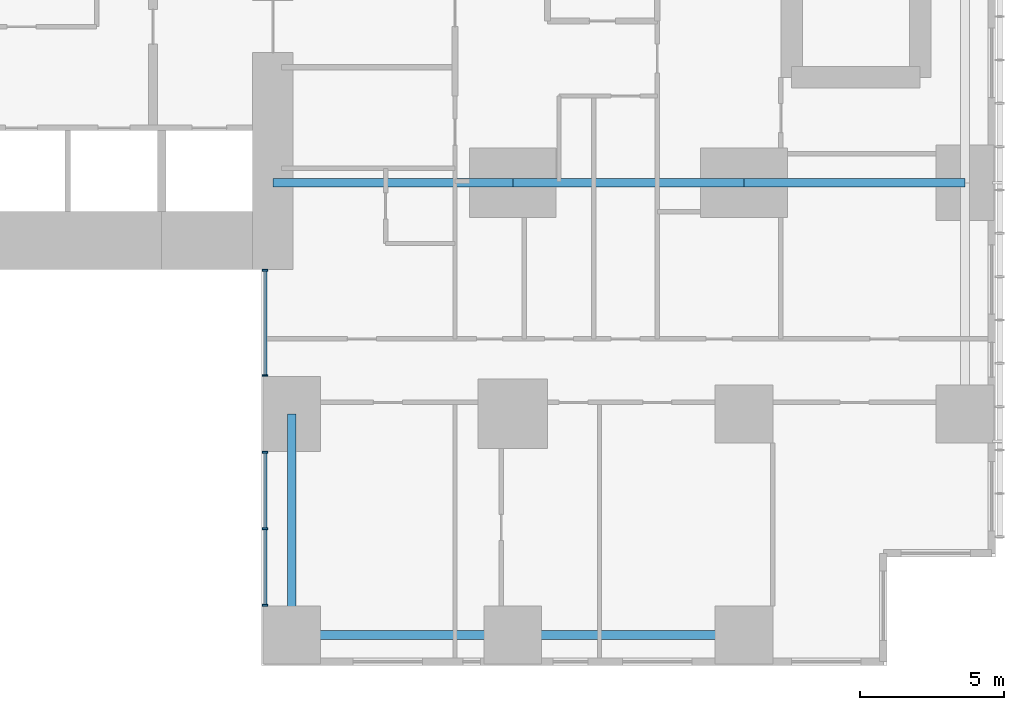
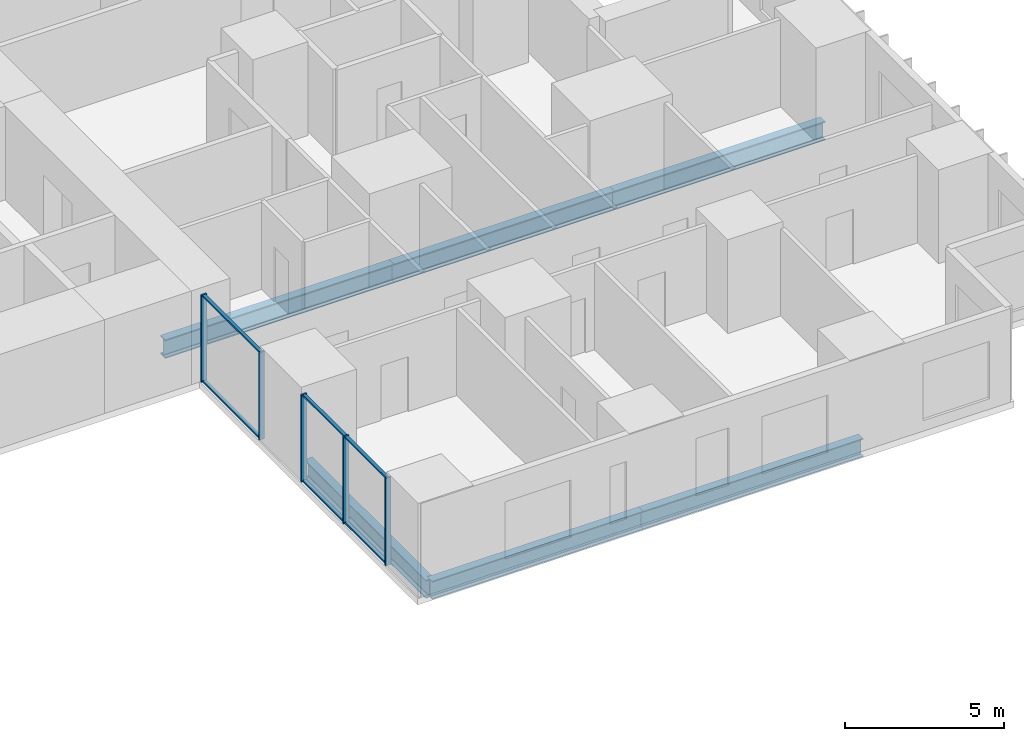
# One storey, part 3 of 20: 11 members, 6 beams, 2 elements without a shape of their own.
"""IFC4 building model written with IfcOpenShell, lengths in metres."""

from ifc_helpers import new_model, si_unit, direction, frame, origin, origin_2d, place, context, subcontext, project, spatial, rectangle, i_section, extrude, material, layer, layer_set, material_profile, profile_set, type_object, element, aggregate, save


model = new_model("IFC4")

# Units and contexts
model_context = context("Model", 3, precision=1e-05, world=origin(), true_north=direction((0.0, 1.0)))
body_context = subcontext(model_context, "Body", "Model", "MODEL_VIEW")
ifc_project = project(units=[si_unit("LENGTHUNIT", "METRE"), si_unit("AREAUNIT", "SQUARE_METRE"), si_unit("VOLUMEUNIT", "CUBIC_METRE"), si_unit("PLANEANGLEUNIT", "RADIAN"), si_unit("MASSUNIT", "GRAM", prefix="KILO")], contexts=[model_context])

# Site, building, storey
site_placement = place(None, origin())
site = spatial("IfcSite", under=ifc_project, at=site_placement, CompositionType="ELEMENT")
building_placement = place(site_placement, origin())
building = spatial("IfcBuilding", under=site, at=building_placement, Name="Cleftline Residences", CompositionType="ELEMENT")
storey_placement = place(building_placement, frame((0.0, 0.0, 146.60009765625)))
storey = spatial("IfcBuildingStorey", under=building, at=storey_placement, Name="L38", CompositionType="ELEMENT", Elevation=146.60009765625)

# Beams
ifc_material_1 = material(Name="Steel S355", Category="steel")
ifc_material_profile_1 = material_profile(ifc_material_1, i_section(OverallWidth=0.300048828125, OverallDepth=0.699951171875, WebThickness=0.01708984375, FlangeThickness=0.031982421875, FilletRadius=0.027099609375, at=origin_2d()))
ifc_profile_set_1 = profile_set([ifc_material_profile_1], Name="Steel S355")
beam_type_1 = type_object("IfcBeamType", Name="BEAM HEB 700", PredefinedType="BEAM", material=ifc_profile_set_1)
beam_1_placement = place(storey_placement, frame((58.0, 0.35009765625, -0.60009765625), z_axis=(-1.0, 0.0, 0.0), x_axis=(0.0, -1.0, 0.0)))
element("IfcBeam", 1, at=beam_1_placement, inside=storey, type_object=beam_type_1, Name="Edge beam", PredefinedType="BEAM", context=body_context, shape_type="SweptSolid", body=[
    extrude(i_section(OverallWidth=0.300048828125, OverallDepth=0.699951171875, WebThickness=0.01708984375, FlangeThickness=0.031982421875, FilletRadius=0.027099609375, at=origin_2d()), origin(), (0.0, 0.0, 1.0), 8.0),
])
for number, where, z_axis, x_axis, name in (
    (2, (50.0, 0.35009765625, -0.60009765625), (-1.0, 0.0, 0.0), (0.0, -1.0, 0.0), "Edge beam"),
    (3, (42.35009765625, 0.35009765625, -0.60009765625), (0.0, 1.0, 0.0), (-1.0, 0.0, 0.0), "Edge beam"),
):
    element("IfcBeam", number, at=place(storey_placement, frame(where, z_axis=z_axis, x_axis=x_axis)), inside=storey, type_object=beam_type_1, Name=name, PredefinedType="BEAM", context=body_context, shape_type="SweptSolid", body=[
        extrude(i_section(OverallWidth=0.300048828125, OverallDepth=0.699951171875, WebThickness=0.01708984375, FlangeThickness=0.031982421875, FilletRadius=0.027099609375, at=origin_2d()), origin(), (0.0, 0.0, 1.0), 7.64990234375),
    ])
ifc_material_2 = material(Name="Steel S355", Category="steel")
ifc_material_profile_2 = material_profile(ifc_material_2, i_section(OverallWidth=0.303955078125, OverallDepth=0.716064453125, WebThickness=0.02099609375, FlangeThickness=0.0400390625, FilletRadius=0.027099609375, at=origin_2d()))
ifc_profile_set_2 = profile_set([ifc_material_profile_2], Name="Steel S355")
beam_type_2 = type_object("IfcBeamType", Name="BEAM HEM 700", PredefinedType="BEAM", material=ifc_profile_set_2)
beam_2_placement = place(storey_placement, frame((65.64990234375, 16.0, -0.608154296875), z_axis=(-1.0, 0.0, 0.0), x_axis=(0.0, -1.0, 0.0)))
element("IfcBeam", 4, at=beam_2_placement, inside=storey, type_object=beam_type_2, Name="Band beam", PredefinedType="BEAM", context=body_context, shape_type="SweptSolid", body=[
    extrude(i_section(OverallWidth=0.303955078125, OverallDepth=0.716064453125, WebThickness=0.02099609375, FlangeThickness=0.0400390625, FilletRadius=0.027099609375, at=origin_2d()), origin(), (0.0, 0.0, 1.0), 7.64990234375),
])
beam_3_placement = place(storey_placement, frame((58.0, 16.0, -0.608154296875), z_axis=(-1.0, 0.0, 0.0), x_axis=(0.0, -1.0, 0.0)))
element("IfcBeam", 5, at=beam_3_placement, inside=storey, type_object=beam_type_2, Name="Band beam", PredefinedType="BEAM", context=body_context, shape_type="SweptSolid", body=[
    extrude(i_section(OverallWidth=0.303955078125, OverallDepth=0.716064453125, WebThickness=0.02099609375, FlangeThickness=0.0400390625, FilletRadius=0.027099609375, at=origin_2d()), origin(), (0.0, 0.0, 1.0), 8.0),
])
beam_4_placement = place(storey_placement, frame((50.0, 16.0, -0.608154296875), z_axis=(-1.0, 0.0, 0.0), x_axis=(0.0, -1.0, 0.0)))
element("IfcBeam", 6, at=beam_4_placement, inside=storey, type_object=beam_type_2, Name="Band beam", PredefinedType="BEAM", context=body_context, shape_type="SweptSolid", body=[
    extrude(i_section(OverallWidth=0.303955078125, OverallDepth=0.716064453125, WebThickness=0.02099609375, FlangeThickness=0.0400390625, FilletRadius=0.027099609375, at=origin_2d()), origin(), (0.0, 0.0, 1.0), 8.300048828125),
])

# Curtain wall, members
ifc_material_3 = material(Name="Aluminium framed curtain wall", Category="aluminium")
ifc_layer = layer(ifc_material_3, 0.199951171875)
ifc_layer_set = layer_set([ifc_layer], Name="CW1 CLEFT GLAZING")
curtain_wall_type = type_object("IfcCurtainWallType", Name="CW1 CLEFT GLAZING", PredefinedType="NOTDEFINED", material=ifc_layer_set)
curtain_wall_1_placement = place(storey_placement, origin())
curtain_wall_1 = element("IfcCurtainWall", 7, at=curtain_wall_1_placement, inside=storey, type_object=curtain_wall_type, Name="Curtain wall CW1", PredefinedType="NOTDEFINED")
ifc_material_4 = material(Name="Aluminium mullion", Category="aluminium")
ifc_material_profile_3 = material_profile(ifc_material_4, rectangle(XDim=0.199951171875, YDim=0.06005859375, at=origin_2d()))
ifc_profile_set_3 = profile_set([ifc_material_profile_3], Name="Aluminium mullion")
member_type_1 = type_object("IfcMemberType", Name="CW1 MULLION", PredefinedType="MULLION", material=ifc_profile_set_3)
member_1_placement = place(storey_placement, frame((41.425048828125, 12.969970703125, 0.0), z_axis=(0.0, 0.0, 1.0), x_axis=(1.0, 0.0, 0.0)))
member_1 = element("IfcMember", 8, at=member_1_placement, type_object=member_type_1, Name="CW1 mullion 1", PredefinedType="MULLION", context=body_context, shape_type="SweptSolid", body=[
    extrude(rectangle(XDim=0.199951171875, YDim=0.06005859375, at=origin_2d()), origin(), (0.0, 0.0, 1.0), 3.349853515625),
])
member_2_placement = place(storey_placement, frame((41.425048828125, 9.330078125, 0.0), z_axis=(0.0, 0.0, 1.0), x_axis=(1.0, 0.0, 0.0)))
member_2 = element("IfcMember", 9, at=member_2_placement, type_object=member_type_1, Name="CW1 mullion 2", PredefinedType="MULLION", context=body_context, shape_type="SweptSolid", body=[
    extrude(rectangle(XDim=0.199951171875, YDim=0.06005859375, at=origin_2d()), origin(), (0.0, 0.0, 1.0), 3.349853515625),
])

curtain_wall_2_placement = place(storey_placement, origin())
curtain_wall_2 = element("IfcCurtainWall", 10, at=curtain_wall_2_placement, inside=storey, type_object=curtain_wall_type, Name="Curtain wall CW1", PredefinedType="NOTDEFINED")
member_3_placement = place(storey_placement, frame((41.425048828125, 6.669921875, 0.0), z_axis=(0.0, 0.0, 1.0), x_axis=(1.0, 0.0, 0.0)))
member_3 = element("IfcMember", 11, at=member_3_placement, type_object=member_type_1, Name="CW1 mullion 1", PredefinedType="MULLION", context=body_context, shape_type="SweptSolid", body=[
    extrude(rectangle(XDim=0.199951171875, YDim=0.06005859375, at=origin_2d()), origin(), (0.0, 0.0, 1.0), 3.349853515625),
])
member_4_placement = place(storey_placement, frame((41.425048828125, 4.02490234375, 0.0), z_axis=(0.0, 0.0, 1.0), x_axis=(1.0, 0.0, 0.0)))
member_4 = element("IfcMember", 12, at=member_4_placement, type_object=member_type_1, Name="CW1 mullion 2", PredefinedType="MULLION", context=body_context, shape_type="SweptSolid", body=[
    extrude(rectangle(XDim=0.199951171875, YDim=0.06005859375, at=origin_2d()), origin(), (0.0, 0.0, 1.0), 3.349853515625),
])
member_5_placement = place(storey_placement, frame((41.425048828125, 1.3798828125, 0.0), z_axis=(0.0, 0.0, 1.0), x_axis=(1.0, 0.0, 0.0)))
member_5 = element("IfcMember", 13, at=member_5_placement, type_object=member_type_1, Name="CW1 mullion 3", PredefinedType="MULLION", context=body_context, shape_type="SweptSolid", body=[
    extrude(rectangle(XDim=0.199951171875, YDim=0.06005859375, at=origin_2d()), origin(), (0.0, 0.0, 1.0), 3.349853515625),
])

# Member
ifc_material_5 = material(Name="Aluminium transom", Category="aluminium")
ifc_material_profile_4 = material_profile(ifc_material_5, rectangle(XDim=0.1201171875, YDim=0.06005859375, at=origin_2d()))
ifc_profile_set_4 = profile_set([ifc_material_profile_4], Name="Aluminium transom")
member_type_2 = type_object("IfcMemberType", Name="CW1 TRANSOM", PredefinedType="USERDEFINED", material=ifc_profile_set_4)
member_6_placement = place(storey_placement, frame((41.425048828125, 12.93994140625, 0.02978515625), z_axis=(0.0, -1.0, 0.0), x_axis=(1.0, 0.0, 0.0)))
member_6 = element("IfcMember", 14, at=member_6_placement, type_object=member_type_2, Name="CW1 transom 1.1", ObjectType="TRANSOM", PredefinedType="USERDEFINED", context=body_context, shape_type="SweptSolid", body=[
    extrude(rectangle(XDim=0.1201171875, YDim=0.06005859375, at=origin_2d()), origin(), (0.0, 0.0, 1.0), 3.579833984375),
])

member_7_placement = place(storey_placement, frame((41.425048828125, 12.93994140625, 3.31982421875), z_axis=(0.0, -1.0, 0.0), x_axis=(1.0, 0.0, 0.0)))
member_7 = element("IfcMember", 15, at=member_7_placement, type_object=member_type_2, Name="CW1 transom 1.2", ObjectType="TRANSOM", PredefinedType="USERDEFINED", context=body_context, shape_type="SweptSolid", body=[
    extrude(rectangle(XDim=0.1201171875, YDim=0.06005859375, at=origin_2d()), origin(), (0.0, 0.0, 1.0), 3.579833984375),
])

aggregate(curtain_wall_1, [member_1, member_2, member_6, member_7])

member_8_placement = place(storey_placement, frame((41.425048828125, 6.639892578125, 0.02978515625), z_axis=(0.0, -1.0, 0.0), x_axis=(1.0, 0.0, 0.0)))
member_8 = element("IfcMember", 16, at=member_8_placement, type_object=member_type_2, Name="CW1 transom 1.1", ObjectType="TRANSOM", PredefinedType="USERDEFINED", context=body_context, shape_type="SweptSolid", body=[
    extrude(rectangle(XDim=0.1201171875, YDim=0.06005859375, at=origin_2d()), origin(), (0.0, 0.0, 1.0), 2.5849609375),
])

member_9_placement = place(storey_placement, frame((41.425048828125, 6.639892578125, 3.31982421875), z_axis=(0.0, -1.0, 0.0), x_axis=(1.0, 0.0, 0.0)))
member_9 = element("IfcMember", 17, at=member_9_placement, type_object=member_type_2, Name="CW1 transom 1.2", ObjectType="TRANSOM", PredefinedType="USERDEFINED", context=body_context, shape_type="SweptSolid", body=[
    extrude(rectangle(XDim=0.1201171875, YDim=0.06005859375, at=origin_2d()), origin(), (0.0, 0.0, 1.0), 2.5849609375),
])

member_10_placement = place(storey_placement, frame((41.425048828125, 3.9951171875, 0.02978515625), z_axis=(0.0, -1.0, 0.0), x_axis=(1.0, 0.0, 0.0)))
member_10 = element("IfcMember", 18, at=member_10_placement, type_object=member_type_2, Name="CW1 transom 2.1", ObjectType="TRANSOM", PredefinedType="USERDEFINED", context=body_context, shape_type="SweptSolid", body=[
    extrude(rectangle(XDim=0.1201171875, YDim=0.06005859375, at=origin_2d()), origin(), (0.0, 0.0, 1.0), 2.585205078125),
])

member_11_placement = place(storey_placement, frame((41.425048828125, 3.9951171875, 3.31982421875), z_axis=(0.0, -1.0, 0.0), x_axis=(1.0, 0.0, 0.0)))
member_11 = element("IfcMember", 19, at=member_11_placement, type_object=member_type_2, Name="CW1 transom 2.2", ObjectType="TRANSOM", PredefinedType="USERDEFINED", context=body_context, shape_type="SweptSolid", body=[
    extrude(rectangle(XDim=0.1201171875, YDim=0.06005859375, at=origin_2d()), origin(), (0.0, 0.0, 1.0), 2.585205078125),
])

aggregate(curtain_wall_2, [member_3, member_4, member_5, member_8, member_9, member_10, member_11])

save(model, "model.ifc")
